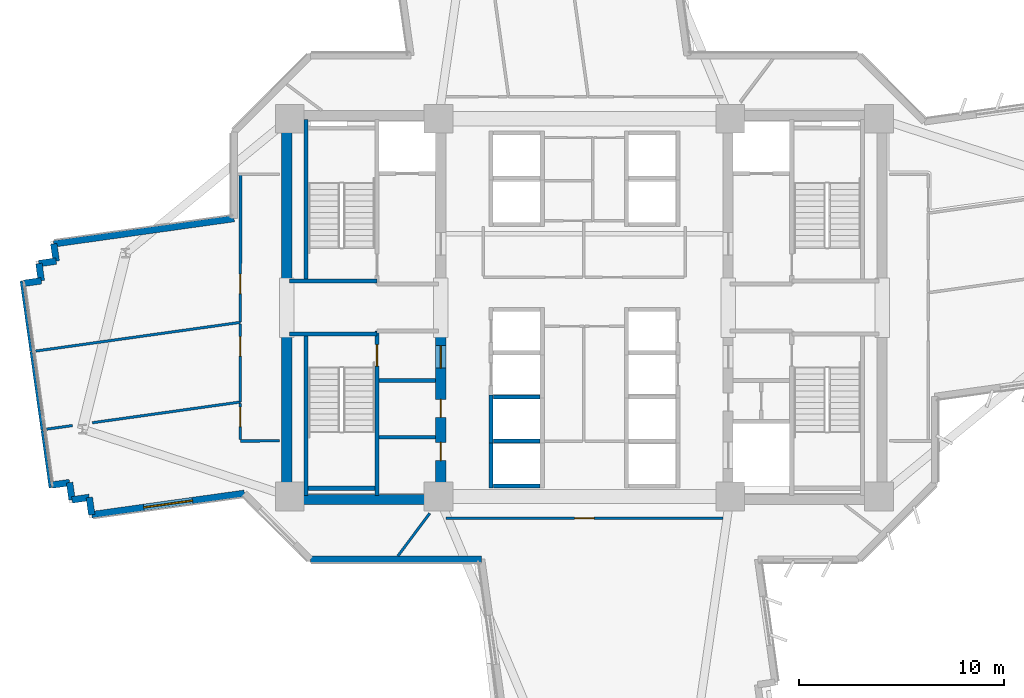
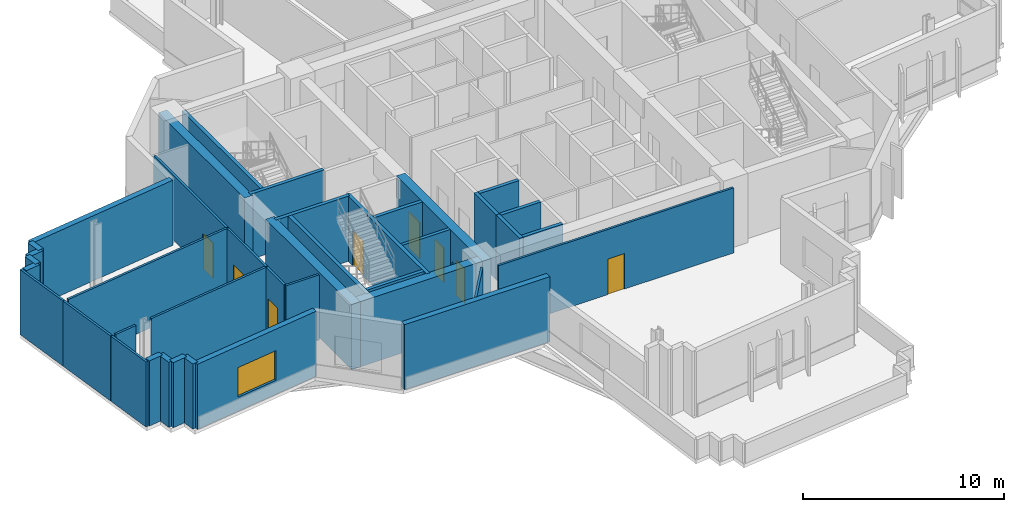
# One storey, part 6 of 13: 40 walls, 8 doors, 1 window, 9 openings.
"""IFC4 building model written with IfcOpenShell, lengths in metres."""

from ifc_helpers import new_model, si_unit, direction, frame, frame_2d, origin, place, context, subcontext, project, spatial, rectangle, extrude, source, transform, mapped, material, layer, layer_set, type_object, element, fill, save


model = new_model("IFC4")

# Units and contexts
model_context = context("Model", 3, precision=1e-05, world=origin(), true_north=direction((0.0, 1.0)))
body_context = subcontext(model_context, "Body", "Model", "MODEL_VIEW")
ifc_project = project(units=[si_unit("LENGTHUNIT", "METRE"), si_unit("AREAUNIT", "SQUARE_METRE"), si_unit("VOLUMEUNIT", "CUBIC_METRE"), si_unit("PLANEANGLEUNIT", "RADIAN"), si_unit("MASSUNIT", "GRAM", prefix="KILO")], contexts=[model_context])

# Site, building, storey
site_placement = place(None, origin())
site = spatial("IfcSite", under=ifc_project, at=site_placement, CompositionType="ELEMENT")
building_placement = place(site_placement, origin())
building = spatial("IfcBuilding", under=site, at=building_placement, Name="Zahravan Cultural Tower", CompositionType="ELEMENT")
storey_placement = place(building_placement, frame((0.0, 0.0, 117.300048828125)))
storey = spatial("IfcBuildingStorey", under=building, at=storey_placement, Name="L26", CompositionType="ELEMENT", Elevation=117.300048828125)

# Wall, openings, doors
ifc_material_1 = material(Name="Concrete C60/75", Category="concrete")
ifc_layer_1 = layer(ifc_material_1, 0.5)
ifc_layer_set_1 = layer_set([ifc_layer_1], Name="Concrete C60/75")
wall_type_1 = type_object("IfcWallType", Name="CW-SHEAR-500-C60", PredefinedType="SHEAR", material=ifc_layer_set_1)
wall_1_placement = place(storey_placement, frame((29.0, 17.39990234375, 0.0), z_axis=(0.0, 0.0, 1.0), x_axis=(0.0, 1.0, 0.0)))
wall_1 = element("IfcWall", 1, at=wall_1_placement, inside=storey, type_object=wall_type_1, Name="L26 Core Shear Wall CW-W-ES-L26", PredefinedType="SHEAR", context=body_context, shape_type="SweptSolid", body=[
    extrude(rectangle(XDim=8.550048828125, YDim=0.5, at=frame_2d((4.27490234375, 0.0))), origin(), (0.0, 0.0, 1.0), 3.949951171875),
])
opening_1_placement = place(wall_1_placement, frame((6.64990234375, 0.0, 0.0)))
opening_1 = element("IfcOpeningElement", 2, at=opening_1_placement, cuts=wall_1, Name="Opening D-L26-07", PredefinedType="OPENING", context=body_context, shape_type="SweptSolid", body=[
    extrude(rectangle(XDim=1.10009765625, YDim=2.199951171875, at=frame_2d((0.550048828125, 1.10009765625))), frame((0.0, 0.260009765625, 0.0), z_axis=(0.0, -1.0, 0.0), x_axis=(1.0, 0.0, 0.0)), (0.0, 0.0, 1.0), 0.52001953125),
])
opening_2_placement = place(wall_1_placement, frame((2.14990234375, 0.0, 0.0)))
opening_2 = element("IfcOpeningElement", 3, at=opening_2_placement, cuts=wall_1, Name="Opening D-L26-09", PredefinedType="OPENING", context=body_context, shape_type="SweptSolid", body=[
    extrude(rectangle(XDim=0.8798828125, YDim=2.10009765625, at=frame_2d((0.43994140625, 1.050048828125))), frame((0.0, 0.260009765625, 0.0), z_axis=(0.0, -1.0, 0.0), x_axis=(1.0, 0.0, 0.0)), (0.0, 0.0, 1.0), 0.52001953125),
])
opening_3_placement = place(wall_1_placement, frame((4.25, 0.0, 0.0)))
opening_3 = element("IfcOpeningElement", 4, at=opening_3_placement, cuts=wall_1, Name="Opening D-L26-10", PredefinedType="OPENING", context=body_context, shape_type="SweptSolid", body=[
    extrude(rectangle(XDim=0.8798828125, YDim=2.10009765625, at=frame_2d((0.43994140625, 1.050048828125))), frame((0.0, 0.260009765625, 0.0), z_axis=(0.0, -1.0, 0.0), x_axis=(1.0, 0.0, 0.0)), (0.0, 0.0, 1.0), 0.52001953125),
])
ifc_material_2 = material(Name="Steel ASTM A572 Grade 50", Category="steel")
door_type_1 = type_object("IfcDoorType", Name="DR-LOBBY-1100", OperationType="NOTDEFINED", PredefinedType="DOOR", material=ifc_material_2)
shared_shape_1 = source(origin(), body_context, "Body", "SweptSolid", [
    extrude(rectangle(XDim=1.10009765625, YDim=2.199951171875, at=frame_2d((0.550048828125, 1.10009765625))), frame((0.0, 0.02490234375, 0.0), z_axis=(0.0, -1.0, 0.0), x_axis=(1.0, 0.0, 0.0)), (0.0, 0.0, 1.0), 0.050048828125),
])
door_1_placement = place(opening_1_placement, origin())
door_1 = element("IfcDoor", 5, at=door_1_placement, inside=storey, type_object=door_type_1, Name="L26 Door D-L26-07", OperationType="SINGLE_SWING_RIGHT", OverallHeight=2.199951171875, OverallWidth=1.10009765625, PredefinedType="DOOR", context=body_context, shape_type="MappedRepresentation", body=[
    mapped(shared_shape_1, transform((0.0, 0.0, 0.0), x_axis=(1.0, 0.0, 0.0), y_axis=(0.0, 1.0, 0.0), z_axis=(0.0, 0.0, 1.0), scale=1.0)),
])
fill(opening_1, door_1)
door_type_2 = type_object("IfcDoorType", Name="DR-SVC-880", OperationType="NOTDEFINED", PredefinedType="DOOR", material=ifc_material_2)
shared_shape_2 = source(origin(), body_context, "Body", "SweptSolid", [
    extrude(rectangle(XDim=0.8798828125, YDim=2.10009765625, at=frame_2d((0.43994140625, 1.050048828125))), frame((0.0, 0.02490234375, 0.0), z_axis=(0.0, -1.0, 0.0), x_axis=(1.0, 0.0, 0.0)), (0.0, 0.0, 1.0), 0.050048828125),
])
door_2_placement = place(opening_2_placement, origin())
door_2 = element("IfcDoor", 6, at=door_2_placement, inside=storey, type_object=door_type_2, Name="L26 Door D-L26-09", OperationType="SINGLE_SWING_RIGHT", OverallHeight=2.10009765625, OverallWidth=0.8798828125, PredefinedType="DOOR", context=body_context, shape_type="MappedRepresentation", body=[
    mapped(shared_shape_2, transform((0.0, 0.0, 0.0), x_axis=(1.0, 0.0, 0.0), y_axis=(0.0, 1.0, 0.0), z_axis=(0.0, 0.0, 1.0), scale=1.0)),
])
fill(opening_2, door_2)
door_3_placement = place(opening_3_placement, origin())
door_3 = element("IfcDoor", 7, at=door_3_placement, inside=storey, type_object=door_type_2, Name="L26 Door D-L26-10", OperationType="SINGLE_SWING_LEFT", OverallHeight=2.10009765625, OverallWidth=0.8798828125, PredefinedType="DOOR", context=body_context, shape_type="MappedRepresentation", body=[
    mapped(shared_shape_2, transform((0.0, 0.0, 0.0), x_axis=(1.0, 0.0, 0.0), y_axis=(0.0, 1.0, 0.0), z_axis=(0.0, 0.0, 1.0), scale=1.0)),
])
fill(opening_3, door_3)

# Wall, opening, window
ifc_material_3 = material(Name="Precast concrete C40/50", Category="concrete")
ifc_layer_2 = layer(ifc_material_3, 0.320068359375)
ifc_layer_set_2 = layer_set([ifc_layer_2], Name="Precast concrete C40/50")
wall_type_2 = type_object("IfcWallType", Name="EW-TC-320", PredefinedType="SOLIDWALL", material=ifc_layer_set_2)
wall_2_placement = place(storey_placement, frame((19.444091796875, 17.953857421875, 0.0), z_axis=(0.0, 0.0, 1.0), x_axis=(-0.990319321248, -0.138807931917, 0.0)))
wall_2 = element("IfcWall", 8, at=wall_2_placement, inside=storey, type_object=wall_type_2, Name="L26 Exterior Masonry Frame Wall 27", PredefinedType="SOLIDWALL", context=body_context, shape_type="SweptSolid", body=[
    extrude(rectangle(XDim=7.508544921875, YDim=0.320068359375, at=frame_2d((3.75439453125, 0.0))), origin(), (0.0, 0.0, 1.0), 3.949951171875),
])
opening_4_placement = place(wall_2_placement, frame((2.553955078125, 0.0, 0.85009765625)))
opening_4 = element("IfcOpeningElement", 9, at=opening_4_placement, cuts=wall_2, Name="Opening WN-01", PredefinedType="OPENING", context=body_context, shape_type="SweptSolid", body=[
    extrude(rectangle(XDim=2.39990234375, YDim=1.800048828125, at=frame_2d((1.199951171875, 0.89990234375))), frame((0.0, 0.169921875, 0.0), z_axis=(0.0, -1.0, 0.0), x_axis=(1.0, 0.0, 0.0)), (0.0, 0.0, 1.0), 0.340087890625),
])
ifc_material_4 = material(Name="Low-E solar-control double glazing", Category="glass")
window_type = type_object("IfcWindowType", Name="WN-REC-2400X1800", PartitioningType="DOUBLE_PANEL_VERTICAL", PredefinedType="WINDOW", material=ifc_material_4)
shared_shape_3 = source(origin(), body_context, "Body", "SweptSolid", [
    extrude(rectangle(XDim=2.39990234375, YDim=1.800048828125, at=frame_2d((1.199951171875, 0.89990234375))), frame((0.0, 0.030029296875, 0.0), z_axis=(0.0, -1.0, 0.0), x_axis=(1.0, 0.0, 0.0)), (0.0, 0.0, 1.0), 0.06005859375),
])
window_placement = place(opening_4_placement, origin())
window = element("IfcWindow", 10, at=window_placement, inside=storey, type_object=window_type, Name="L26 Recessed Solar Window 08", OverallHeight=1.800048828125, OverallWidth=2.39990234375, PartitioningType="DOUBLE_PANEL_VERTICAL", PredefinedType="WINDOW", context=body_context, shape_type="MappedRepresentation", body=[
    mapped(shared_shape_3, transform((0.0, 0.0, 0.0), x_axis=(1.0, 0.0, 0.0), y_axis=(0.0, 1.0, 0.0), z_axis=(0.0, 0.0, 1.0), scale=1.0)),
])
fill(opening_4, window)

# Wall, opening, door
ifc_material_5 = material(Name="Gypsum plasterboard partition")
ifc_layer_3 = layer(ifc_material_5, 0.125)
ifc_layer_set_3 = layer_set([ifc_layer_3], Name="Gypsum plasterboard partition")
wall_type_3 = type_object("IfcWallType", Name="W-PART-125", PredefinedType="PARTITIONING", material=ifc_layer_set_3)
wall_3_placement = place(storey_placement, frame((19.25, 26.20947265625, 0.0), z_axis=(0.0, 0.0, 1.0), x_axis=(0.0, -1.0, 0.0)))
wall_3 = element("IfcWall", 11, at=wall_3_placement, inside=storey, type_object=wall_type_3, Name="L26 Interior Wall 092", PredefinedType="PARTITIONING", context=body_context, shape_type="SweptSolid", body=[
    extrude(rectangle(XDim=3.809326171875, YDim=0.125, at=frame_2d((1.90478515625, 0.0))), origin(), (0.0, 0.0, 1.0), 3.949951171875),
])
opening_5_placement = place(wall_3_placement, frame((0.62890625, 0.0, 0.0)))
opening_5 = element("IfcOpeningElement", 12, at=opening_5_placement, cuts=wall_3, Name="Opening D-L26-26", PredefinedType="OPENING", context=body_context, shape_type="SweptSolid", body=[
    extrude(rectangle(XDim=0.949951171875, YDim=2.14990234375, at=frame_2d((0.47509765625, 1.074951171875))), frame((0.0, 0.072509765625, 0.0), z_axis=(0.0, -1.0, 0.0), x_axis=(1.0, 0.0, 0.0)), (0.0, 0.0, 1.0), 0.14501953125),
])
ifc_material_6 = material(Name="Anodised bronze-aluminium mullion", Category="aluminium")
door_type_3 = type_object("IfcDoorType", Name="DR-ROOM-950", OperationType="NOTDEFINED", PredefinedType="DOOR", material=ifc_material_6)
shared_shape_4 = source(origin(), body_context, "Body", "SweptSolid", [
    extrude(rectangle(XDim=0.949951171875, YDim=2.14990234375, at=frame_2d((0.47509765625, 1.074951171875))), frame((0.0, 0.02490234375, 0.0), z_axis=(0.0, -1.0, 0.0), x_axis=(1.0, 0.0, 0.0)), (0.0, 0.0, 1.0), 0.050048828125),
])
door_4_placement = place(opening_5_placement, origin())
door_4 = element("IfcDoor", 13, at=door_4_placement, inside=storey, type_object=door_type_3, Name="L26 Door D-L26-26", OperationType="SINGLE_SWING_LEFT", OverallHeight=2.14990234375, OverallWidth=0.949951171875, PredefinedType="DOOR", context=body_context, shape_type="MappedRepresentation", body=[
    mapped(shared_shape_4, transform((0.0, 0.0, 0.0), x_axis=(1.0, 0.0, 0.0), y_axis=(0.0, 1.0, 0.0), z_axis=(0.0, 0.0, 1.0), scale=1.0)),
])
fill(opening_5, door_4)

wall_4_placement = place(storey_placement, frame((19.252685546875, 33.497314453125, 0.0), z_axis=(0.0, 0.0, 1.0), x_axis=(-0.000373020422, -0.999999930428, 0.0)))
wall_4 = element("IfcWall", 14, at=wall_4_placement, inside=storey, type_object=wall_type_3, Name="L26 Interior Wall 099", PredefinedType="PARTITIONING", context=body_context, shape_type="SweptSolid", body=[
    extrude(rectangle(XDim=7.199462890625, YDim=0.125, at=frame_2d((3.599609375, 0.0))), origin(), (0.0, 0.0, 1.0), 3.949951171875),
])
opening_6_placement = place(wall_4_placement, frame((4.87451171875, 0.0, 0.0)))
opening_6 = element("IfcOpeningElement", 15, at=opening_6_placement, cuts=wall_4, Name="Opening D-L26-25", PredefinedType="OPENING", context=body_context, shape_type="SweptSolid", body=[
    extrude(rectangle(XDim=0.949951171875, YDim=2.14990234375, at=frame_2d((0.47509765625, 1.074951171875))), frame((0.0, 0.072509765625, 0.0), z_axis=(0.0, -1.0, 0.0), x_axis=(1.0, 0.0, 0.0)), (0.0, 0.0, 1.0), 0.14501953125),
])
door_5_placement = place(opening_6_placement, origin())
door_5 = element("IfcDoor", 16, at=door_5_placement, inside=storey, type_object=door_type_3, Name="L26 Door D-L26-25", OperationType="SINGLE_SWING_RIGHT", OverallHeight=2.14990234375, OverallWidth=0.949951171875, PredefinedType="DOOR", context=body_context, shape_type="MappedRepresentation", body=[
    mapped(shared_shape_4, transform((0.0, 0.0, 0.0), x_axis=(1.0, 0.0, 0.0), y_axis=(0.0, 1.0, 0.0), z_axis=(0.0, 0.0, 1.0), scale=1.0)),
])
fill(opening_6, door_5)

wall_5_placement = place(storey_placement, frame((19.25, 22.33203125, 0.0), z_axis=(0.0, 0.0, 1.0), x_axis=(0.00055378643, -0.99999984666, 0.0)))
wall_5 = element("IfcWall", 17, at=wall_5_placement, inside=storey, type_object=wall_type_3, Name="L26 Interior Wall 112", PredefinedType="PARTITIONING", context=body_context, shape_type="SweptSolid", body=[
    extrude(rectangle(XDim=1.763427734375, YDim=0.125, at=frame_2d((0.8818359375, 0.0))), origin(), (0.0, 0.0, 1.0), 3.949951171875),
])
opening_7_placement = place(wall_5_placement, frame((0.178955078125, 0.0, 0.0)))
opening_7 = element("IfcOpeningElement", 18, at=opening_7_placement, cuts=wall_5, Name="Opening D-L26-27", PredefinedType="OPENING", context=body_context, shape_type="SweptSolid", body=[
    extrude(rectangle(XDim=0.949951171875, YDim=2.14990234375, at=frame_2d((0.47509765625, 1.074951171875))), frame((0.0, 0.072509765625, 0.0), z_axis=(0.0, -1.0, 0.0), x_axis=(1.0, 0.0, 0.0)), (0.0, 0.0, 1.0), 0.14501953125),
])
door_6_placement = place(opening_7_placement, origin())
door_6 = element("IfcDoor", 19, at=door_6_placement, inside=storey, type_object=door_type_3, Name="L26 Door D-L26-27", OperationType="SINGLE_SWING_RIGHT", OverallHeight=2.14990234375, OverallWidth=0.949951171875, PredefinedType="DOOR", context=body_context, shape_type="MappedRepresentation", body=[
    mapped(shared_shape_4, transform((0.0, 0.0, 0.0), x_axis=(1.0, 0.0, 0.0), y_axis=(0.0, 1.0, 0.0), z_axis=(0.0, 0.0, 1.0), scale=1.0)),
])
fill(opening_7, door_6)

wall_6_placement = place(storey_placement, frame((29.255859375, 16.739990234375, 0.0), z_axis=(0.0, 0.0, 1.0), x_axis=(1.0, 0.0, 0.0)))
wall_6 = element("IfcWall", 20, at=wall_6_placement, inside=storey, type_object=wall_type_3, Name="L26 Interior Wall 113", PredefinedType="PARTITIONING", context=body_context, shape_type="SweptSolid", body=[
    extrude(rectangle(XDim=13.48828125, YDim=0.125, at=frame_2d((6.744140625, 0.0))), origin(), (0.0, 0.0, 1.0), 3.949951171875),
])
opening_8_placement = place(wall_6_placement, frame((6.26904296875, 0.0, 0.0)))
opening_8 = element("IfcOpeningElement", 21, at=opening_8_placement, cuts=wall_6, Name="Opening D-L26-28", PredefinedType="OPENING", context=body_context, shape_type="SweptSolid", body=[
    extrude(rectangle(XDim=0.949951171875, YDim=2.14990234375, at=frame_2d((0.47509765625, 1.074951171875))), frame((0.0, 0.072509765625, 0.0), z_axis=(0.0, -1.0, 0.0), x_axis=(1.0, 0.0, 0.0)), (0.0, 0.0, 1.0), 0.14501953125),
])
door_7_placement = place(opening_8_placement, origin())
door_7 = element("IfcDoor", 22, at=door_7_placement, inside=storey, type_object=door_type_3, Name="L26 Door D-L26-28", OperationType="SINGLE_SWING_LEFT", OverallHeight=2.14990234375, OverallWidth=0.949951171875, PredefinedType="DOOR", context=body_context, shape_type="MappedRepresentation", body=[
    mapped(shared_shape_4, transform((0.0, 0.0, 0.0), x_axis=(1.0, 0.0, 0.0), y_axis=(0.0, 1.0, 0.0), z_axis=(0.0, 0.0, 1.0), scale=1.0)),
])
fill(opening_8, door_7)

ifc_material_7 = material(Name="Concrete C45/55", Category="concrete")
ifc_layer_4 = layer(ifc_material_7, 0.199951171875)
ifc_layer_set_4 = layer_set([ifc_layer_4], Name="Concrete C45/55")
wall_type_4 = type_object("IfcWallType", Name="W-SHAFT-200", PredefinedType="SOLIDWALL", material=ifc_layer_set_4)
wall_7_placement = place(storey_placement, frame((25.89990234375, 17.85009765625, 0.0), z_axis=(0.0, 0.0, 1.0), x_axis=(0.0, 1.0, 0.0)))
wall_7 = element("IfcWall", 23, at=wall_7_placement, inside=storey, type_object=wall_type_4, Name="L26 Interior Wall 005", PredefinedType="SOLIDWALL", context=body_context, shape_type="SweptSolid", body=[
    extrude(rectangle(XDim=8.0, YDim=0.199951171875, at=frame_2d((4.0, 0.0))), origin(), (0.0, 0.0, 1.0), 3.949951171875),
])
opening_9_placement = place(wall_7_placement, frame((6.300048828125, 0.0, 0.0)))
opening_9 = element("IfcOpeningElement", 24, at=opening_9_placement, cuts=wall_7, Name="Opening D-L26-04", PredefinedType="OPENING", context=body_context, shape_type="SweptSolid", body=[
    extrude(rectangle(XDim=1.050048828125, YDim=2.14990234375, at=frame_2d((0.52490234375, 1.074951171875))), frame((0.0, 0.10986328125, 0.0), z_axis=(0.0, -1.0, 0.0), x_axis=(1.0, 0.0, 0.0)), (0.0, 0.0, 1.0), 0.219970703125),
])
door_type_4 = type_object("IfcDoorType", Name="DR-STAIR-1050", OperationType="NOTDEFINED", PredefinedType="DOOR", material=ifc_material_2)
shared_shape_5 = source(origin(), body_context, "Body", "SweptSolid", [
    extrude(rectangle(XDim=1.050048828125, YDim=2.14990234375, at=frame_2d((0.52490234375, 1.074951171875))), frame((0.0, 0.02490234375, 0.0), z_axis=(0.0, -1.0, 0.0), x_axis=(1.0, 0.0, 0.0)), (0.0, 0.0, 1.0), 0.050048828125),
])
door_8_placement = place(opening_9_placement, origin())
door_8 = element("IfcDoor", 25, at=door_8_placement, inside=storey, type_object=door_type_4, Name="L26 Door D-L26-04", OperationType="SINGLE_SWING_LEFT", OverallHeight=2.14990234375, OverallWidth=1.050048828125, PredefinedType="DOOR", context=body_context, shape_type="MappedRepresentation", body=[
    mapped(shared_shape_5, transform((0.0, 0.0, 0.0), x_axis=(1.0, 0.0, 0.0), y_axis=(0.0, 1.0, 0.0), z_axis=(0.0, 0.0, 1.0), scale=1.0)),
])
fill(opening_9, door_8)

# Walls
shared_shape_6 = source(origin(), body_context, "Body", "SweptSolid", [
    extrude(rectangle(XDim=8.550048828125, YDim=0.5, at=frame_2d((4.27490234375, 0.0))), origin(), (0.0, 0.0, 1.0), 3.949951171875),
])
for number, where, z_axis, x_axis, name in (
    (26, (21.5, 17.39990234375, 0.0), (0.0, 0.0, 1.0), (0.0, 1.0, 0.0), "L26 Core Shear Wall CW-W-WS-L26"),
    (27, (21.5, 28.050048828125, 0.0), (0.0, 0.0, 1.0), (0.0, 1.0, 0.0), "L26 Core Shear Wall CW-W-WN-L26"),
):
    element("IfcWall", number, at=place(storey_placement, frame(where, z_axis=z_axis, x_axis=x_axis)), inside=storey, type_object=wall_type_1, Name=name, PredefinedType="SHEAR", context=body_context, shape_type="MappedRepresentation", body=[
        mapped(shared_shape_6, transform((0.0, 0.0, 0.0), x_axis=(1.0, 0.0, 0.0), y_axis=(0.0, 1.0, 0.0), z_axis=(0.0, 0.0, 1.0), scale=1.0)),
    ])
shared_shape_7 = source(origin(), body_context, "Body", "SweptSolid", [
    extrude(rectangle(XDim=7.0, YDim=0.5, at=frame_2d((3.5, 0.0))), origin(), (0.0, 0.0, 1.0), 3.949951171875),
])
wall_8_placement = place(storey_placement, frame((21.75, 17.64990234375, 0.0), z_axis=(0.0, 0.0, 1.0), x_axis=(1.0, 0.0, 0.0)))
element("IfcWall", 28, at=wall_8_placement, inside=storey, type_object=wall_type_1, Name="L26 Core Shear Wall CW-W-S-L26", PredefinedType="SHEAR", context=body_context, shape_type="MappedRepresentation", body=[
    mapped(shared_shape_7, transform((0.0, 0.0, 0.0), x_axis=(1.0, 0.0, 0.0), y_axis=(0.0, 1.0, 0.0), z_axis=(0.0, 0.0, 1.0), scale=1.0)),
])
shared_shape_8 = source(origin(), body_context, "Body", "SweptSolid", [
    extrude(rectangle(XDim=0.849853515625, YDim=0.320068359375, at=frame_2d((0.4248046875, 0.0))), origin(), (0.0, 0.0, 1.0), 3.949951171875),
])
wall_9_placement = place(storey_placement, frame((11.04833984375, 17.635498046875, 0.0), z_axis=(0.0, 0.0, 1.0), x_axis=(-0.138766190202, 0.990325171071, 0.0)))
element("IfcWall", 29, at=wall_9_placement, inside=storey, type_object=wall_type_2, Name="L26 Exterior Masonry Frame Wall 30", PredefinedType="SOLIDWALL", context=body_context, shape_type="MappedRepresentation", body=[
    mapped(shared_shape_8, transform((0.0, 0.0, 0.0), x_axis=(1.0, 0.0, 0.0), y_axis=(0.0, 1.0, 0.0), z_axis=(0.0, 0.0, 1.0), scale=1.0)),
])
shared_shape_9 = source(origin(), body_context, "Body", "SweptSolid", [
    extrude(rectangle(XDim=0.85009765625, YDim=0.320068359375, at=frame_2d((0.425048828125, 0.0))), origin(), (0.0, 0.0, 1.0), 3.949951171875),
])
for number, where, z_axis, x_axis, name in (
    (30, (12.00830078125, 16.91162109375, 0.0), (0.0, 0.0, 1.0), (-0.139008393902, 0.990291202841, 0.0), "L26 Exterior Masonry Frame Wall 28"),
    (31, (11.89013671875, 17.75341796875, 0.0), (0.0, 0.0, 1.0), (-0.990330700987, -0.138726719425, 0.0), "L26 Exterior Masonry Frame Wall 29"),
    (32, (10.930419921875, 18.47705078125, 0.0), (0.0, 0.0, 1.0), (-0.990330700987, -0.138726719425, 0.0), "L26 Exterior Masonry Frame Wall 31"),
    (33, (8.71142578125, 28.18310546875, 0.0), (0.0, 0.0, 1.0), (0.990330700987, 0.138726719425, 0.0), "L26 Exterior Masonry Frame Wall 32"),
    (34, (9.55322265625, 28.301025390625, 0.0), (0.0, 0.0, 1.0), (-0.138726719425, 0.990330700987, 0.0), "L26 Exterior Masonry Frame Wall 33"),
    (35, (9.435302734375, 29.142822265625, 0.0), (0.0, 0.0, 1.0), (0.990330700987, 0.138726719425, 0.0), "L26 Exterior Masonry Frame Wall 34"),
    (36, (10.277099609375, 29.2607421875, 0.0), (0.0, 0.0, 1.0), (-0.138726719425, 0.990330700987, 0.0), "L26 Exterior Masonry Frame Wall 35"),
):
    element("IfcWall", number, at=place(storey_placement, frame(where, z_axis=z_axis, x_axis=x_axis)), inside=storey, type_object=wall_type_2, Name=name, PredefinedType="SOLIDWALL", context=body_context, shape_type="MappedRepresentation", body=[
        mapped(shared_shape_9, transform((0.0, 0.0, 0.0), x_axis=(1.0, 0.0, 0.0), y_axis=(0.0, 1.0, 0.0), z_axis=(0.0, 0.0, 1.0), scale=1.0)),
    ])
shared_shape_10 = source(origin(), body_context, "Body", "SweptSolid", [
    extrude(rectangle(XDim=8.33544921875, YDim=0.320068359375, at=frame_2d((4.167724609375, 0.0))), origin(), (0.0, 0.0, 1.0), 3.949951171875),
])
wall_10_placement = place(storey_placement, frame((30.993408203125, 14.739990234375, 0.0), z_axis=(0.0, 0.0, 1.0), x_axis=(-1.0, 0.0, 0.0)))
element("IfcWall", 37, at=wall_10_placement, inside=storey, type_object=wall_type_2, Name="L26 Exterior Masonry Frame Wall 25", PredefinedType="SOLIDWALL", context=body_context, shape_type="MappedRepresentation", body=[
    mapped(shared_shape_10, transform((0.0, 0.0, 0.0), x_axis=(1.0, 0.0, 0.0), y_axis=(0.0, 1.0, 0.0), z_axis=(0.0, 0.0, 1.0), scale=1.0)),
])
shared_shape_11 = source(origin(), body_context, "Body", "SweptSolid", [
    extrude(rectangle(XDim=8.86669921875, YDim=0.320068359375, at=frame_2d((4.433349609375, 0.0))), origin(), (0.0, 0.0, 1.0), 3.949951171875),
])
wall_11_placement = place(storey_placement, frame((10.1591796875, 30.1025390625, 0.0), z_axis=(0.0, 0.0, 1.0), x_axis=(0.990316171862, 0.138830399225, 0.0)))
element("IfcWall", 38, at=wall_11_placement, inside=storey, type_object=wall_type_2, Name="L26 Exterior Masonry Frame Wall 36", PredefinedType="SOLIDWALL", context=body_context, shape_type="MappedRepresentation", body=[
    mapped(shared_shape_11, transform((0.0, 0.0, 0.0), x_axis=(1.0, 0.0, 0.0), y_axis=(0.0, 1.0, 0.0), z_axis=(0.0, 0.0, 1.0), scale=1.0)),
])
shared_shape_12 = source(origin(), body_context, "Body", "SweptSolid", [
    extrude(rectangle(XDim=7.869873046875, YDim=0.199951171875, at=frame_2d((3.93505859375, 0.0))), origin(), (0.0, 0.0, 1.0), 3.949951171875),
])
for number, where, z_axis, x_axis, name in (
    (39, (22.449951171875, 17.85009765625, 0.0), (0.0, 0.0, 1.0), (0.0, 1.0, 0.0), "L26 Interior Wall 001"),
    (40, (22.449951171875, 28.280029296875, 0.0), (0.0, 0.0, 1.0), (0.0, 1.0, 0.0), "L26 Interior Wall 002"),
):
    element("IfcWall", number, at=place(storey_placement, frame(where, z_axis=z_axis, x_axis=x_axis)), inside=storey, type_object=wall_type_4, Name=name, PredefinedType="SOLIDWALL", context=body_context, shape_type="MappedRepresentation", body=[
        mapped(shared_shape_12, transform((0.0, 0.0, 0.0), x_axis=(1.0, 0.0, 0.0), y_axis=(0.0, 1.0, 0.0), z_axis=(0.0, 0.0, 1.0), scale=1.0)),
    ])
shared_shape_13 = source(origin(), body_context, "Body", "SweptSolid", [
    extrude(rectangle(XDim=4.25, YDim=0.199951171875, at=frame_2d((2.125, 0.0))), origin(), (0.0, 0.0, 1.0), 3.949951171875),
])
for number, where, z_axis, x_axis, name in (
    (41, (21.64990234375, 25.715087890625, 0.0), (0.0, 0.0, 1.0), (1.0, 0.0, 0.0), "L26 Interior Wall 009"),
    (42, (21.64990234375, 28.284912109375, 0.0), (0.0, 0.0, 1.0), (1.0, 0.0, 0.0), "L26 Interior Wall 011"),
):
    element("IfcWall", number, at=place(storey_placement, frame(where, z_axis=z_axis, x_axis=x_axis)), inside=storey, type_object=wall_type_4, Name=name, PredefinedType="SOLIDWALL", context=body_context, shape_type="MappedRepresentation", body=[
        mapped(shared_shape_13, transform((0.0, 0.0, 0.0), x_axis=(1.0, 0.0, 0.0), y_axis=(0.0, 1.0, 0.0), z_axis=(0.0, 0.0, 1.0), scale=1.0)),
    ])
shared_shape_14 = source(origin(), body_context, "Body", "SweptSolid", [
    extrude(rectangle(XDim=3.25, YDim=0.199951171875, at=frame_2d((1.625, 0.0))), origin(), (0.0, 0.0, 1.0), 3.949951171875),
])
wall_12_placement = place(storey_placement, frame((22.550048828125, 18.199951171875, 0.0), z_axis=(0.0, 0.0, 1.0), x_axis=(1.0, 0.0, 0.0)))
element("IfcWall", 43, at=wall_12_placement, inside=storey, type_object=wall_type_4, Name="L26 Interior Wall 019", PredefinedType="SOLIDWALL", context=body_context, shape_type="MappedRepresentation", body=[
    mapped(shared_shape_14, transform((0.0, 0.0, 0.0), x_axis=(1.0, 0.0, 0.0), y_axis=(0.0, 1.0, 0.0), z_axis=(0.0, 0.0, 1.0), scale=1.0)),
])
shared_shape_15 = source(origin(), body_context, "Body", "SweptSolid", [
    extrude(rectangle(XDim=2.75, YDim=0.199951171875, at=frame_2d((1.375, 0.0))), origin(), (0.0, 0.0, 1.0), 3.949951171875),
])
wall_13_placement = place(storey_placement, frame((26.0, 23.449951171875, 0.0), z_axis=(0.0, 0.0, 1.0), x_axis=(1.0, 0.0, 0.0)))
element("IfcWall", 44, at=wall_13_placement, inside=storey, type_object=wall_type_4, Name="L26 Interior Wall 023", PredefinedType="SOLIDWALL", context=body_context, shape_type="MappedRepresentation", body=[
    mapped(shared_shape_15, transform((0.0, 0.0, 0.0), x_axis=(1.0, 0.0, 0.0), y_axis=(0.0, 1.0, 0.0), z_axis=(0.0, 0.0, 1.0), scale=1.0)),
])
shared_shape_16 = source(origin(), body_context, "Body", "SweptSolid", [
    extrude(rectangle(XDim=2.260009765625, YDim=0.199951171875, at=frame_2d((1.1298828125, 0.0))), origin(), (0.0, 0.0, 1.0), 3.949951171875),
])
for number, where, z_axis, x_axis, name in (
    (45, (31.570068359375, 20.5, 0.0), (0.0, 0.0, 1.0), (1.0, 0.0, 0.0), "L26 Interior Wall 044"),
    (46, (31.570068359375, 22.64990234375, 0.0), (0.0, 0.0, 1.0), (1.0, 0.0, 0.0), "L26 Interior Wall 045"),
    (47, (31.570068359375, 18.300048828125, 0.0), (0.0, 0.0, 1.0), (1.0, 0.0, 0.0), "L26 Interior Wall 048"),
):
    element("IfcWall", number, at=place(storey_placement, frame(where, z_axis=z_axis, x_axis=x_axis)), inside=storey, type_object=wall_type_4, Name=name, PredefinedType="SOLIDWALL", context=body_context, shape_type="MappedRepresentation", body=[
        mapped(shared_shape_16, transform((0.0, 0.0, 0.0), x_axis=(1.0, 0.0, 0.0), y_axis=(0.0, 1.0, 0.0), z_axis=(0.0, 0.0, 1.0), scale=1.0)),
    ])
shared_shape_17 = source(origin(), body_context, "Body", "SweptSolid", [
    extrude(rectangle(XDim=2.35009765625, YDim=0.199951171875, at=frame_2d((1.175048828125, 0.0))), origin(), (0.0, 0.0, 1.0), 3.949951171875),
])
for number, where, z_axis, x_axis, name in (
    (48, (31.449951171875, 20.39990234375, 0.0), (0.0, 0.0, 1.0), (0.0, 1.0, 0.0), "L26 Interior Wall 042"),
    (49, (31.449951171875, 18.199951171875, 0.0), (0.0, 0.0, 1.0), (0.0, 1.0, 0.0), "L26 Interior Wall 046"),
):
    element("IfcWall", number, at=place(storey_placement, frame(where, z_axis=z_axis, x_axis=x_axis)), inside=storey, type_object=wall_type_4, Name=name, PredefinedType="SOLIDWALL", context=body_context, shape_type="MappedRepresentation", body=[
        mapped(shared_shape_17, transform((0.0, 0.0, 0.0), x_axis=(1.0, 0.0, 0.0), y_axis=(0.0, 1.0, 0.0), z_axis=(0.0, 0.0, 1.0), scale=1.0)),
    ])
ifc_layer_5 = layer(ifc_material_5, 0.179931640625)
ifc_layer_set_5 = layer_set([ifc_layer_5], Name="Gypsum plasterboard partition")
wall_type_5 = type_object("IfcWallType", Name="W-COMP-180", PredefinedType="PARTITIONING", material=ifc_layer_set_5)
shared_shape_18 = source(origin(), body_context, "Body", "SweptSolid", [
    extrude(rectangle(XDim=2.75, YDim=0.179931640625, at=frame_2d((1.375, 0.0))), origin(), (0.0, 0.0, 1.0), 3.949951171875),
])
wall_14_placement = place(storey_placement, frame((26.0, 20.679931640625, 0.0), z_axis=(0.0, 0.0, 1.0), x_axis=(1.0, 0.0, 0.0)))
element("IfcWall", 50, at=wall_14_placement, inside=storey, type_object=wall_type_5, Name="L26 Interior Wall 026", PredefinedType="PARTITIONING", context=body_context, shape_type="MappedRepresentation", body=[
    mapped(shared_shape_18, transform((0.0, 0.0, 0.0), x_axis=(1.0, 0.0, 0.0), y_axis=(0.0, 1.0, 0.0), z_axis=(0.0, 0.0, 1.0), scale=1.0)),
])
shared_shape_19 = source(origin(), body_context, "Body", "SweptSolid", [
    extrude(rectangle(XDim=7.286865234375, YDim=0.125, at=frame_2d((3.6435546875, 0.0))), origin(), (0.0, 0.0, 1.0), 3.949951171875),
])
wall_15_placement = place(storey_placement, frame((19.249755859375, 22.400146484375, 0.0), z_axis=(0.0, 0.0, 1.0), x_axis=(-0.990314677425, -0.138841059045, 0.0)))
element("IfcWall", 51, at=wall_15_placement, inside=storey, type_object=wall_type_3, Name="L26 Interior Wall 093", PredefinedType="PARTITIONING", context=body_context, shape_type="MappedRepresentation", body=[
    mapped(shared_shape_19, transform((0.0, 0.0, 0.0), x_axis=(1.0, 0.0, 0.0), y_axis=(0.0, 1.0, 0.0), z_axis=(0.0, 0.0, 1.0), scale=1.0)),
])
shared_shape_20 = source(origin(), body_context, "Body", "SweptSolid", [
    extrude(rectangle(XDim=1.27197265625, YDim=0.125, at=frame_2d((0.635986328125, 0.0))), origin(), (0.0, 0.0, 1.0), 3.949951171875),
])
wall_16_placement = place(storey_placement, frame((11.073486328125, 21.25390625, 0.0), z_axis=(0.0, 0.0, 1.0), x_axis=(-0.990325928558, -0.138760784176, 0.0)))
element("IfcWall", 52, at=wall_16_placement, inside=storey, type_object=wall_type_3, Name="L26 Interior Wall 089", PredefinedType="PARTITIONING", context=body_context, shape_type="MappedRepresentation", body=[
    mapped(shared_shape_20, transform((0.0, 0.0, 0.0), x_axis=(1.0, 0.0, 0.0), y_axis=(0.0, 1.0, 0.0), z_axis=(0.0, 0.0, 1.0), scale=1.0)),
])
shared_shape_21 = source(origin(), body_context, "Body", "SweptSolid", [
    extrude(rectangle(XDim=3.83984375, YDim=0.125, at=frame_2d((1.919921875, 0.0))), origin(), (0.0, 0.0, 1.0), 3.949951171875),
])
wall_17_placement = place(storey_placement, frame((9.5908203125, 21.046142578125, 0.0), z_axis=(0.0, 0.0, 1.0), x_axis=(-0.138795007241, 0.990321132747, 0.0)))
element("IfcWall", 53, at=wall_17_placement, inside=storey, type_object=wall_type_3, Name="L26 Interior Wall 090", PredefinedType="PARTITIONING", context=body_context, shape_type="MappedRepresentation", body=[
    mapped(shared_shape_21, transform((0.0, 0.0, 0.0), x_axis=(1.0, 0.0, 0.0), y_axis=(0.0, 1.0, 0.0), z_axis=(0.0, 0.0, 1.0), scale=1.0)),
])
shared_shape_22 = source(origin(), body_context, "Body", "SweptSolid", [
    extrude(rectangle(XDim=10.06689453125, YDim=0.125, at=frame_2d((5.033447265625, 0.0))), origin(), (0.0, 0.0, 1.0), 3.949951171875),
])
wall_18_placement = place(storey_placement, frame((9.280517578125, 24.880126953125, 0.0), z_axis=(0.0, 0.0, 1.0), x_axis=(0.990318089486, 0.138816719584, 0.0)))
element("IfcWall", 54, at=wall_18_placement, inside=storey, type_object=wall_type_3, Name="L26 Interior Wall 091", PredefinedType="PARTITIONING", context=body_context, shape_type="MappedRepresentation", body=[
    mapped(shared_shape_22, transform((0.0, 0.0, 0.0), x_axis=(1.0, 0.0, 0.0), y_axis=(0.0, 1.0, 0.0), z_axis=(0.0, 0.0, 1.0), scale=1.0)),
])
shared_shape_23 = source(origin(), body_context, "Body", "SweptSolid", [
    extrude(rectangle(XDim=3.4501953125, YDim=0.125, at=frame_2d((1.72509765625, 0.0))), origin(), (0.0, 0.0, 1.0), 3.949951171875),
])
wall_19_placement = place(storey_placement, frame((9.054931640625, 24.86865234375, 0.0), z_axis=(0.0, 0.0, 1.0), x_axis=(-0.13883522696, 0.990315495059, 0.0)))
element("IfcWall", 55, at=wall_19_placement, inside=storey, type_object=wall_type_3, Name="L26 Interior Wall 100", PredefinedType="PARTITIONING", context=body_context, shape_type="MappedRepresentation", body=[
    mapped(shared_shape_23, transform((0.0, 0.0, 0.0), x_axis=(1.0, 0.0, 0.0), y_axis=(0.0, 1.0, 0.0), z_axis=(0.0, 0.0, 1.0), scale=1.0)),
])
shared_shape_24 = source(origin(), body_context, "Body", "SweptSolid", [
    extrude(rectangle(XDim=1.8984375, YDim=0.125, at=frame_2d((0.94921875, 0.0))), origin(), (0.0, 0.0, 1.0), 3.949951171875),
])
wall_20_placement = place(storey_placement, frame((19.2509765625, 20.5009765625, 0.0), z_axis=(0.0, 0.0, 1.0), x_axis=(0.999998999442, 0.001414607638, 0.0)))
element("IfcWall", 56, at=wall_20_placement, inside=storey, type_object=wall_type_3, Name="L26 Interior Wall 109", PredefinedType="PARTITIONING", context=body_context, shape_type="MappedRepresentation", body=[
    mapped(shared_shape_24, transform((0.0, 0.0, 0.0), x_axis=(1.0, 0.0, 0.0), y_axis=(0.0, 1.0, 0.0), z_axis=(0.0, 0.0, 1.0), scale=1.0)),
])
shared_shape_25 = source(origin(), body_context, "Body", "SweptSolid", [
    extrude(rectangle(XDim=2.589599609375, YDim=0.125, at=frame_2d((1.294921875, 0.0))), origin(), (0.0, 0.0, 1.0), 3.949951171875),
])
wall_21_placement = place(storey_placement, frame((28.4697265625, 16.97998046875, 0.0), z_axis=(0.0, 0.0, 1.0), x_axis=(-0.598354601134, -0.801231409333, 0.0)))
element("IfcWall", 57, at=wall_21_placement, inside=storey, type_object=wall_type_3, Name="L26 Interior Wall 110", PredefinedType="PARTITIONING", context=body_context, shape_type="MappedRepresentation", body=[
    mapped(shared_shape_25, transform((0.0, 0.0, 0.0), x_axis=(1.0, 0.0, 0.0), y_axis=(0.0, 1.0, 0.0), z_axis=(0.0, 0.0, 1.0), scale=1.0)),
])
shared_shape_26 = source(origin(), body_context, "Body", "SweptSolid", [
    extrude(rectangle(XDim=2.829833984375, YDim=0.125, at=frame_2d((1.4150390625, 0.0))), origin(), (0.0, 0.0, 1.0), 3.949951171875),
])
wall_22_placement = place(storey_placement, frame((9.986572265625, 18.2236328125, 0.0), z_axis=(0.0, 0.0, 1.0), x_axis=(-0.138811993372, 0.990318751966, 0.0)))
element("IfcWall", 58, at=wall_22_placement, inside=storey, type_object=wall_type_3, Name="L26 Interior Wall 111", PredefinedType="PARTITIONING", context=body_context, shape_type="MappedRepresentation", body=[
    mapped(shared_shape_26, transform((0.0, 0.0, 0.0), x_axis=(1.0, 0.0, 0.0), y_axis=(0.0, 1.0, 0.0), z_axis=(0.0, 0.0, 1.0), scale=1.0)),
])

save(model, "model.ifc")
